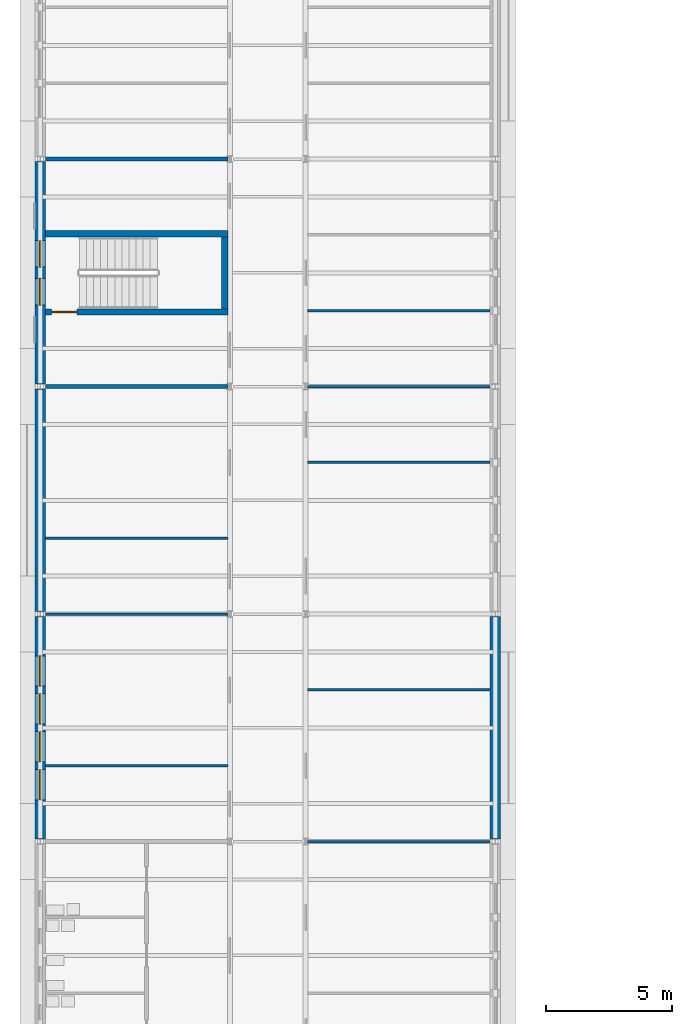
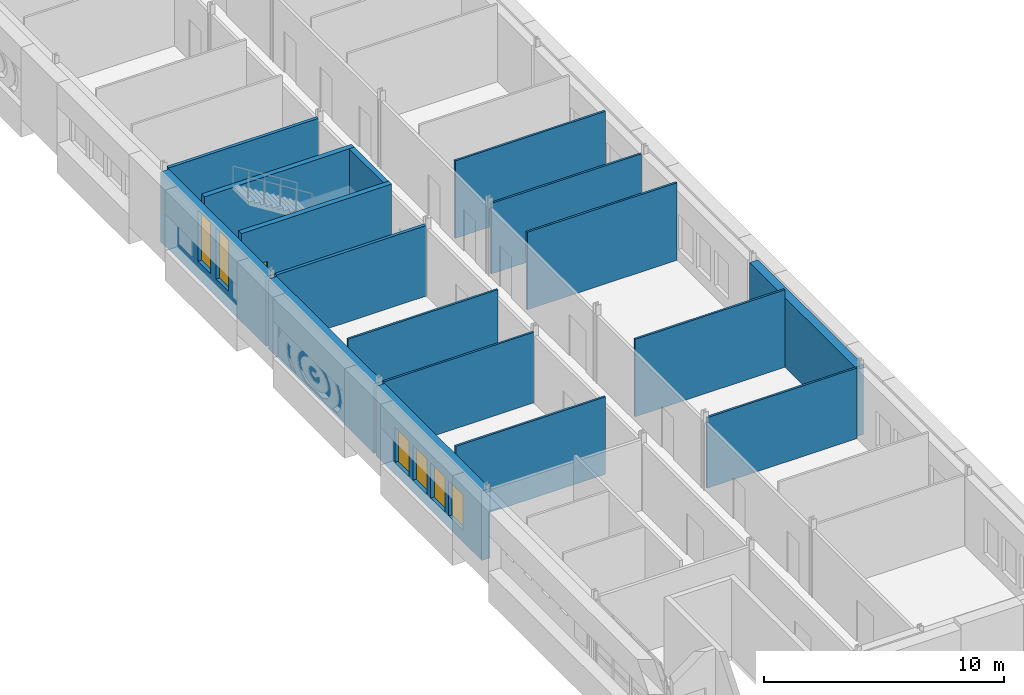
# One storey, part 25 of 42: 17 walls, 6 windows, 1 door, 7 openings.
"""IFC4 building model written with IfcOpenShell, lengths in metres."""

import ifcopenshell
import ifcopenshell.guid

model = None  # the IFC model being written
_history = None  # IfcOwnerHistory: only IFC2X3 demands one
_inside = {}  # id of a spatial element -> (the spatial element, [elements in it])
_under = {}  # id of a project, library or spatial element -> (it, [spatial elements below it])
_declared = {}  # id of a project -> (the project, [libraries it declares])
_typed = {}  # id of a type object -> (the type object, [elements of that type])
_made_of = {}  # id of a material, layer set ... -> (it, [elements and type objects made of it])


def new_model(schema):
    """Start an empty IFC model of exactly this schema.

    Asked for "IFC4X3", IfcOpenShell would pick the latest addendum, in which some entities
    have other attributes; the version numbers below select the first issue.
    IFC2X3 requires an IfcOwnerHistory on every rooted entity: one is made here for all.
    """
    global model, _history
    if schema == "IFC4X3":
        model = ifcopenshell.file(schema_version=(4, 3, 0, 0))
    else:
        model = ifcopenshell.file(schema=schema)
    _inside.clear()
    _under.clear()
    _declared.clear()
    _typed.clear()
    _made_of.clear()
    _history = None
    if model.schema == "IFC2X3":
        org = make("IfcOrganization", Name="unknown")
        user = make(
            "IfcPersonAndOrganization",
            ThePerson=make("IfcPerson", FamilyName="unknown"),
            TheOrganization=org,
        )
        app = make(
            "IfcApplication",
            ApplicationDeveloper=org,
            Version="unknown",
            ApplicationFullName="unknown",
            ApplicationIdentifier="unknown",
        )
        _history = make(
            "IfcOwnerHistory",
            OwningUser=user,
            OwningApplication=app,
            ChangeAction="ADDED",
            CreationDate=0,
        )
    return model


def make(cls, **values):
    """One entity of the class cls with the attributes given. An attribute that is None is left unset."""
    return model.create_entity(
        cls, **{name: value for name, value in values.items() if value is not None}
    )


def rooted(cls, **values):
    """An entity with a GlobalId (a new one), such as an element, a storey or a relation."""
    return make(cls, GlobalId=ifcopenshell.guid.new(), OwnerHistory=_history, **values)


def si_unit(unit_type, name, prefix=None):
    """IfcSIUnit, for example si_unit("LENGTHUNIT", "METRE", prefix="MILLI")."""
    return make("IfcSIUnit", UnitType=unit_type, Prefix=prefix, Name=name)


def assignment(units):
    """IfcUnitAssignment: the units of a project."""
    return None if units is None else make("IfcUnitAssignment", Units=units)


def point(xyz):
    """IfcCartesianPoint."""
    return None if xyz is None else make("IfcCartesianPoint", Coordinates=xyz)


def direction(xyz):
    """IfcDirection."""
    return None if xyz is None else make("IfcDirection", DirectionRatios=xyz)


def frame(location, z_axis=None, x_axis=None):
    """IfcAxis2Placement3D, a coordinate frame: its origin and axes. An axis left out is left unset."""
    return make(
        "IfcAxis2Placement3D",
        Location=point(location),
        Axis=direction(z_axis),
        RefDirection=direction(x_axis),
    )


def frame_2d(location, x_axis=None):
    """IfcAxis2Placement2D, a coordinate frame in the plane: its origin and x axis."""
    return make(
        "IfcAxis2Placement2D", Location=point(location), RefDirection=direction(x_axis)
    )


def origin():
    """The frame at (0, 0, 0) with its axes left unset."""
    return frame((0.0, 0.0, 0.0))


def place(relative_to, where):
    """IfcLocalPlacement: puts the frame where relative to a parent placement (None: the world)."""
    return make(
        "IfcLocalPlacement", PlacementRelTo=relative_to, RelativePlacement=where
    )


def context(
    kind, dimensions, precision=None, world=None, true_north=None, identifier=None
):
    """IfcGeometricRepresentationContext, for example the 3D "Model" context."""
    return make(
        "IfcGeometricRepresentationContext",
        ContextIdentifier=identifier,
        ContextType=kind,
        CoordinateSpaceDimension=dimensions,
        Precision=precision,
        WorldCoordinateSystem=world,
        TrueNorth=true_north,
    )


def subcontext(parent, identifier, kind, view, scale=None):
    """IfcGeometricRepresentationSubContext, for example "Body" below "Model"."""
    return make(
        "IfcGeometricRepresentationSubContext",
        ContextIdentifier=identifier,
        ContextType=kind,
        ParentContext=parent,
        TargetScale=scale,
        TargetView=view,
    )


def project(units=None, contexts=None):
    """IfcProject with its units and contexts."""
    return rooted(
        "IfcProject",
        Name="project",
        RepresentationContexts=contexts,
        UnitsInContext=assignment(units),
    )


def spatial(cls, under=None, at=None, **own):
    """A site, building, storey or space (cls), placed at a placement, below another one or the project."""
    s = rooted(cls, ObjectPlacement=at, **own)
    if under is not None:
        _under.setdefault(under.id(), (under, []))[1].append(s)
    return s


def profile(cls, at=None, kind="AREA", **sizes):
    """A parametric profile (cls). Its sizes go by their IFC names, for example OverallWidth=200.0."""
    return make(cls, ProfileType=kind, Position=at, **sizes)


def rectangle(**sizes):
    """IfcRectangleProfileDef."""
    return profile("IfcRectangleProfileDef", **sizes)


def extrude(swept, where, along, depth):
    """IfcExtrudedAreaSolid: the profile swept, set in the frame where, extruded along a direction by depth."""
    return make(
        "IfcExtrudedAreaSolid",
        SweptArea=swept,
        Position=where,
        ExtrudedDirection=direction(along),
        Depth=depth,
    )


def shape(context_of_items, identifier, shape_type, items):
    """IfcShapeRepresentation: the items that make up one representation, for example the "Body"."""
    return make(
        "IfcShapeRepresentation",
        ContextOfItems=context_of_items,
        RepresentationIdentifier=identifier,
        RepresentationType=shape_type,
        Items=items,
    )


def material(Name=None, Category=None):
    """IfcMaterial."""
    return make("IfcMaterial", Name=Name, Category=Category)


def layer(
    of_material, thickness, ventilated=None, Name=None, Category=None, Priority=None
):
    """IfcMaterialLayer: one layer of a wall or slab, of a material (None: an air gap)."""
    return make(
        "IfcMaterialLayer",
        Material=of_material,
        LayerThickness=thickness,
        IsVentilated=ventilated,
        Name=Name,
        Category=Category,
        Priority=Priority,
    )


def layer_set(layers, Name=None):
    """IfcMaterialLayerSet."""
    return make("IfcMaterialLayerSet", MaterialLayers=layers, LayerSetName=Name)


def made_of(thing, what):
    """Note that an element or type object is made of a material, layer set ...; save() writes the relation."""
    if what is not None:
        _made_of.setdefault(what.id(), (what, []))[1].append(thing)
    return thing


def type_object(cls, material=None, **own):
    """A type object (cls), such as IfcWallType, which elements share."""
    return made_of(rooted(cls, **own), material)


def element(
    cls,
    number,
    at=None,
    inside=None,
    cuts=None,
    type_object=None,
    material=None,
    context=None,
    identifier="Body",
    shape_type=None,
    held_by="IfcProductDefinitionShape",
    body=None,
    shapes=None,
    **own,
):
    """One element of the class cls, such as IfcWall. Its Tag is "e" and its number.

    at: its placement. inside: the storey or other place that contains it. cuts: it is an
    opening in that element (IfcRelVoidsElement). A single representation is given by context,
    identifier, shape_type and body (its items); several are given by shapes. held_by: the class
    of the entity that holds the representations. save() writes the other relations.
    """
    e = rooted(cls, Tag="e%d" % number, ObjectPlacement=at, **own)
    if body is not None:
        shapes = [shape(context, identifier, shape_type, body)]
    if shapes is not None:
        e.Representation = make(held_by, Representations=shapes)
    if inside is not None:
        _inside.setdefault(inside.id(), (inside, []))[1].append(e)
    if cuts is not None:
        rooted(
            "IfcRelVoidsElement", RelatingBuildingElement=cuts, RelatedOpeningElement=e
        )
    if type_object is not None:
        _typed.setdefault(type_object.id(), (type_object, []))[1].append(e)
    return made_of(e, material)


def fill(opening, filler):
    """IfcRelFillsElement: the door or window that sits in an opening."""
    return rooted(
        "IfcRelFillsElement",
        RelatingOpeningElement=opening,
        RelatedBuildingElement=filler,
    )


def aggregate(whole, parts):
    """IfcRelAggregates: a whole, such as a stair, and the parts it consists of."""
    return rooted("IfcRelAggregates", RelatingObject=whole, RelatedObjects=parts)


def save(model, path):
    """Write the relations noted so far, then the file.

    IfcRelAggregates (storeys below a building ...), IfcRelContainedInSpatialStructure (elements
    in a storey), IfcRelDefinesByType, IfcRelAssociatesMaterial and IfcRelDeclares: one each for
    every whole, place, type object, material and project.
    """
    for whole, parts in _under.values():
        aggregate(whole, parts)
    for where, things in _inside.values():
        rooted(
            "IfcRelContainedInSpatialStructure",
            RelatedElements=things,
            RelatingStructure=where,
        )
    for kind, things in _typed.values():
        rooted("IfcRelDefinesByType", RelatedObjects=things, RelatingType=kind)
    for what, things in _made_of.values():
        rooted("IfcRelAssociatesMaterial", RelatedObjects=things, RelatingMaterial=what)
    for by, libraries in _declared.values():
        rooted("IfcRelDeclares", RelatingContext=by, RelatedDefinitions=libraries)
    model.write(path)


model = new_model("IFC4")

# Units and contexts
model_context = context("Model", 3, precision=1e-05, world=origin(), true_north=direction((0.0, 1.0)))
body_context = subcontext(model_context, "Body", "Model", "MODEL_VIEW")
ifc_project = project(units=[si_unit("LENGTHUNIT", "METRE"), si_unit("AREAUNIT", "SQUARE_METRE"), si_unit("VOLUMEUNIT", "CUBIC_METRE"), si_unit("PLANEANGLEUNIT", "RADIAN"), si_unit("MASSUNIT", "GRAM", prefix="KILO")], contexts=[model_context])

# Site, building, storey
site_placement = place(None, origin())
site = spatial("IfcSite", under=ifc_project, at=site_placement, CompositionType="ELEMENT")
building_placement = place(site_placement, origin())
building = spatial("IfcBuilding", under=site, at=building_placement, Name="Golden Quay Civic Hall", CompositionType="ELEMENT")
storey_placement = place(building_placement, frame((0.0, 0.0, 22.800048828125)))
storey = spatial("IfcBuildingStorey", under=building, at=storey_placement, Name="L05", CompositionType="ELEMENT", Elevation=22.800048828125)

# Wall, opening, door
ifc_material_1 = material(Name="Concrete C40/50", Category="concrete")
ifc_layer_1 = layer(ifc_material_1, 0.25)
ifc_layer_set_1 = layer_set([ifc_layer_1], Name="Concrete core wall 250, Concrete C40/50")
wall_type_1 = type_object("IfcWallType", Name="Concrete core wall 250", PredefinedType="SHEAR", material=ifc_layer_set_1)
wall_1_placement = place(storey_placement, frame((0.199951171875, 29.949951171875, 0.0), z_axis=(0.0, 0.0, 1.0), x_axis=(1.0, 0.0, 0.0)))
wall_1 = element("IfcWall", 1, at=wall_1_placement, inside=storey, type_object=wall_type_1, Name="Core wall WO-M-W1", PredefinedType="SHEAR", context=body_context, shape_type="SweptSolid", body=[
    extrude(rectangle(XDim=7.22509765625, YDim=0.25, at=frame_2d((3.612548828125, 0.0))), origin(), (0.0, 0.0, 1.0), 3.949951171875),
])
opening_1_placement = place(wall_1_placement, frame((0.25, 0.0, 0.0)))
opening_1 = element("IfcOpeningElement", 2, at=opening_1_placement, cuts=wall_1, Name="Opening L05-D034", PredefinedType="OPENING", context=body_context, shape_type="SweptSolid", body=[
    extrude(rectangle(XDim=1.0, YDim=2.10009765625, at=frame_2d((0.5, 1.050048828125))), frame((0.0, 0.135009765625, 0.0), z_axis=(0.0, -1.0, 0.0), x_axis=(1.0, 0.0, 0.0)), (0.0, 0.0, 1.0), 0.27001953125),
])
ifc_material_2 = material(Name="Steel", Category="steel")
door_type = type_object("IfcDoorType", Name="Steel fire door FD60 1000 x 2100", OperationType="SINGLE_SWING_LEFT", PredefinedType="DOOR", material=ifc_material_2)
door_placement = place(opening_1_placement, origin())
door = element("IfcDoor", 3, at=door_placement, inside=storey, type_object=door_type, Name="Door L05-D034", OperationType="SINGLE_SWING_LEFT", OverallHeight=2.10009765625, OverallWidth=1.0, PredefinedType="DOOR", context=body_context, shape_type="SweptSolid", body=[
    extrude(rectangle(XDim=1.0, YDim=2.10009765625, at=frame_2d((0.5, 1.050048828125))), frame((0.0, 0.02490234375, 0.0), z_axis=(0.0, -1.0, 0.0), x_axis=(1.0, 0.0, 0.0)), (0.0, 0.0, 1.0), 0.050048828125),
])
fill(opening_1, door)

# Walls
wall_2_placement = place(storey_placement, frame((0.199951171875, 33.050048828125, 0.0), z_axis=(0.0, 0.0, 1.0), x_axis=(1.0, 0.0, 0.0)))
element("IfcWall", 4, at=wall_2_placement, inside=storey, type_object=wall_type_1, Name="Core wall WO-M-W2", PredefinedType="SHEAR", context=body_context, shape_type="SweptSolid", body=[
    extrude(rectangle(XDim=7.22509765625, YDim=0.25, at=frame_2d((3.612548828125, 0.0))), origin(), (0.0, 0.0, 1.0), 3.949951171875),
])
wall_3_placement = place(storey_placement, frame((7.300048828125, 30.074951171875, 0.0), z_axis=(0.0, 0.0, 1.0), x_axis=(0.0, 1.0, 0.0)))
element("IfcWall", 5, at=wall_3_placement, inside=storey, type_object=wall_type_1, Name="Core wall WO-M-W3", PredefinedType="SHEAR", context=body_context, shape_type="SweptSolid", body=[
    extrude(rectangle(XDim=2.85009765625, YDim=0.25, at=frame_2d((1.425048828125, 0.0))), origin(), (0.0, 0.0, 1.0), 3.949951171875),
])
ifc_material_3 = material(Name="Plasterboard on steel studs", Category="steel")
ifc_layer_2 = layer(ifc_material_3, 0.10009765625)
ifc_layer_set_2 = layer_set([ifc_layer_2], Name="Partition 100 stud")
wall_type_2 = type_object("IfcWallType", Name="Partition 100 stud", PredefinedType="PARTITIONING", material=ifc_layer_set_2)
wall_4_placement = place(storey_placement, frame((0.199951171875, 12.0, 0.0), z_axis=(0.0, 0.0, 1.0), x_axis=(1.0, 0.0, 0.0)))
element("IfcWall", 6, at=wall_4_placement, inside=storey, type_object=wall_type_2, Name="Partition L05-001", PredefinedType="PARTITIONING", context=body_context, shape_type="SweptSolid", body=[
    extrude(rectangle(XDim=7.22509765625, YDim=0.10009765625, at=frame_2d((3.612548828125, 0.0))), origin(), (0.0, 0.0, 1.0), 3.949951171875),
])
wall_5_placement = place(storey_placement, frame((0.199951171875, 18.0, 0.0), z_axis=(0.0, 0.0, 1.0), x_axis=(1.0, 0.0, 0.0)))
element("IfcWall", 7, at=wall_5_placement, inside=storey, type_object=wall_type_2, Name="Partition L05-002", PredefinedType="PARTITIONING", context=body_context, shape_type="SweptSolid", body=[
    extrude(rectangle(XDim=7.22509765625, YDim=0.10009765625, at=frame_2d((3.612548828125, 0.0))), origin(), (0.0, 0.0, 1.0), 3.599853515625),
])
wall_6_placement = place(storey_placement, frame((0.199951171875, 21.0, 0.0), z_axis=(0.0, 0.0, 1.0), x_axis=(1.0, 0.0, 0.0)))
element("IfcWall", 8, at=wall_6_placement, inside=storey, type_object=wall_type_2, Name="Partition L05-003", PredefinedType="PARTITIONING", context=body_context, shape_type="SweptSolid", body=[
    extrude(rectangle(XDim=7.22509765625, YDim=0.10009765625, at=frame_2d((3.612548828125, 0.0))), origin(), (0.0, 0.0, 1.0), 3.949951171875),
])
wall_7_placement = place(storey_placement, frame((10.574951171875, 9.0, 0.0), z_axis=(0.0, 0.0, 1.0), x_axis=(1.0, 0.0, 0.0)))
element("IfcWall", 9, at=wall_7_placement, inside=storey, type_object=wall_type_2, Name="Partition L05-013", PredefinedType="PARTITIONING", context=body_context, shape_type="SweptSolid", body=[
    extrude(rectangle(XDim=7.22509765625, YDim=0.10009765625, at=frame_2d((3.612548828125, 0.0))), origin(), (0.0, 0.0, 1.0), 3.599853515625),
])
for number, where, z_axis, x_axis, name in (
    (10, (10.574951171875, 15.0, 0.0), (0.0, 0.0, 1.0), (1.0, 0.0, 0.0), "Partition L05-014"),
    (11, (10.574951171875, 24.0, 0.0), (0.0, 0.0, 1.0), (1.0, 0.0, 0.0), "Partition L05-015"),
):
    element("IfcWall", number, at=place(storey_placement, frame(where, z_axis=z_axis, x_axis=x_axis)), inside=storey, type_object=wall_type_2, Name=name, PredefinedType="PARTITIONING", context=body_context, shape_type="SweptSolid", body=[
        extrude(rectangle(XDim=7.22509765625, YDim=0.10009765625, at=frame_2d((3.612548828125, 0.0))), origin(), (0.0, 0.0, 1.0), 3.949951171875),
    ])
wall_8_placement = place(storey_placement, frame((10.574951171875, 27.0, 0.0), z_axis=(0.0, 0.0, 1.0), x_axis=(1.0, 0.0, 0.0)))
element("IfcWall", 12, at=wall_8_placement, inside=storey, type_object=wall_type_2, Name="Partition L05-016", PredefinedType="PARTITIONING", context=body_context, shape_type="SweptSolid", body=[
    extrude(rectangle(XDim=7.22509765625, YDim=0.10009765625, at=frame_2d((3.612548828125, 0.0))), origin(), (0.0, 0.0, 1.0), 3.599853515625),
])
wall_9_placement = place(storey_placement, frame((10.574951171875, 30.0, 0.0), z_axis=(0.0, 0.0, 1.0), x_axis=(1.0, 0.0, 0.0)))
element("IfcWall", 13, at=wall_9_placement, inside=storey, type_object=wall_type_2, Name="Partition L05-017", PredefinedType="PARTITIONING", context=body_context, shape_type="SweptSolid", body=[
    extrude(rectangle(XDim=7.22509765625, YDim=0.10009765625, at=frame_2d((3.612548828125, 0.0))), origin(), (0.0, 0.0, 1.0), 3.949951171875),
])
ifc_material_4 = material(Name="Plasterboard on steel studs", Category="steel")
ifc_layer_3 = layer(ifc_material_4, 0.14990234375)
ifc_layer_set_3 = layer_set([ifc_layer_3], Name="Partition 150 stud fire EI 60")
wall_type_3 = type_object("IfcWallType", Name="Partition 150 stud fire EI 60", PredefinedType="PARTITIONING", material=ifc_layer_set_3)
for number, where, z_axis, x_axis, name in (
    (14, (0.199951171875, 27.0, 0.0), (0.0, 0.0, 1.0), (1.0, 0.0, 0.0), "Partition L05-004"),
    (15, (0.199951171875, 36.0, 0.0), (0.0, 0.0, 1.0), (1.0, 0.0, 0.0), "Partition L05-005"),
):
    element("IfcWall", number, at=place(storey_placement, frame(where, z_axis=z_axis, x_axis=x_axis)), inside=storey, type_object=wall_type_3, Name=name, PredefinedType="PARTITIONING", context=body_context, shape_type="SweptSolid", body=[
        extrude(rectangle(XDim=7.22509765625, YDim=0.14990234375, at=frame_2d((3.612548828125, 0.0))), origin(), (0.0, 0.0, 1.0), 3.599853515625),
    ])

# Wall, openings, windows
ifc_material_5 = material(Name="Clay block, rendered, cream")
ifc_layer_4 = layer(ifc_material_5, 0.39990234375)
ifc_layer_set_4 = layer_set([ifc_layer_4], Name="Rendered block external wall 400")
wall_type_4 = type_object("IfcWallType", Name="Rendered block external wall 400", PredefinedType="STANDARD", material=ifc_layer_set_4)
wall_10_placement = place(storey_placement, frame((0.0, 9.094970703125, 0.0), z_axis=(0.0, 0.0, 1.0), x_axis=(0.0, 1.0, 0.0)))
wall_10 = element("IfcWall", 16, at=wall_10_placement, inside=storey, type_object=wall_type_4, Name="Rendered block external wall 400 L05 2", PredefinedType="STANDARD", context=body_context, shape_type="SweptSolid", body=[
    extrude(rectangle(XDim=8.81005859375, YDim=0.39990234375, at=frame_2d((4.405029296875, 0.0))), origin(), (0.0, 0.0, 1.0), 3.550048828125),
])
opening_2_placement = place(wall_10_placement, frame((1.554931640625, 0.0, 0.60009765625)))
opening_2 = element("IfcOpeningElement", 17, at=opening_2_placement, cuts=wall_10, Name="Opening WN10", PredefinedType="OPENING", context=body_context, shape_type="SweptSolid", body=[
    extrude(rectangle(XDim=1.199951171875, YDim=1.800048828125, at=frame_2d((0.60009765625, 0.89990234375))), frame((0.0, 0.2099609375, 0.0), z_axis=(0.0, -1.0, 0.0), x_axis=(1.0, 0.0, 0.0)), (0.0, 0.0, 1.0), 0.419921875),
])
opening_3_placement = place(wall_10_placement, frame((3.054931640625, 0.0, 0.60009765625)))
opening_3 = element("IfcOpeningElement", 18, at=opening_3_placement, cuts=wall_10, Name="Opening WN10", PredefinedType="OPENING", context=body_context, shape_type="SweptSolid", body=[
    extrude(rectangle(XDim=1.199951171875, YDim=1.800048828125, at=frame_2d((0.60009765625, 0.89990234375))), frame((0.0, 0.2099609375, 0.0), z_axis=(0.0, -1.0, 0.0), x_axis=(1.0, 0.0, 0.0)), (0.0, 0.0, 1.0), 0.419921875),
])
opening_4_placement = place(wall_10_placement, frame((4.554931640625, 0.0, 0.60009765625)))
opening_4 = element("IfcOpeningElement", 19, at=opening_4_placement, cuts=wall_10, Name="Opening WN10", PredefinedType="OPENING", context=body_context, shape_type="SweptSolid", body=[
    extrude(rectangle(XDim=1.199951171875, YDim=1.800048828125, at=frame_2d((0.60009765625, 0.89990234375))), frame((0.0, 0.2099609375, 0.0), z_axis=(0.0, -1.0, 0.0), x_axis=(1.0, 0.0, 0.0)), (0.0, 0.0, 1.0), 0.419921875),
])
opening_5_placement = place(wall_10_placement, frame((6.054931640625, 0.0, 0.60009765625)))
opening_5 = element("IfcOpeningElement", 20, at=opening_5_placement, cuts=wall_10, Name="Opening WN10", PredefinedType="OPENING", context=body_context, shape_type="SweptSolid", body=[
    extrude(rectangle(XDim=1.199951171875, YDim=1.800048828125, at=frame_2d((0.60009765625, 0.89990234375))), frame((0.0, 0.2099609375, 0.0), z_axis=(0.0, -1.0, 0.0), x_axis=(1.0, 0.0, 0.0)), (0.0, 0.0, 1.0), 0.419921875),
])
ifc_material_6 = material(Name="Aluminium frame, double glazed", Category="aluminium")
window_type_1 = type_object("IfcWindowType", Name="Golden grid window 1200 x 1800", PartitioningType="SINGLE_PANEL", PredefinedType="WINDOW", material=ifc_material_6)
window_1_placement = place(opening_2_placement, origin())
window_1 = element("IfcWindow", 21, at=window_1_placement, inside=storey, type_object=window_type_1, Name="Golden grid window 1200 x 1800 L05 1", OverallHeight=1.800048828125, OverallWidth=1.199951171875, PartitioningType="SINGLE_PANEL", PredefinedType="WINDOW", context=body_context, shape_type="SweptSolid", body=[
    extrude(rectangle(XDim=1.199951171875, YDim=1.800048828125, at=frame_2d((0.60009765625, 0.89990234375))), frame((0.0, 0.030029296875, 0.0), z_axis=(0.0, -1.0, 0.0), x_axis=(1.0, 0.0, 0.0)), (0.0, 0.0, 1.0), 0.06005859375),
])
fill(opening_2, window_1)
window_2_placement = place(opening_3_placement, origin())
window_2 = element("IfcWindow", 22, at=window_2_placement, inside=storey, type_object=window_type_1, Name="Golden grid window 1200 x 1800 L05 2", OverallHeight=1.800048828125, OverallWidth=1.199951171875, PartitioningType="SINGLE_PANEL", PredefinedType="WINDOW", context=body_context, shape_type="SweptSolid", body=[
    extrude(rectangle(XDim=1.199951171875, YDim=1.800048828125, at=frame_2d((0.60009765625, 0.89990234375))), frame((0.0, 0.030029296875, 0.0), z_axis=(0.0, -1.0, 0.0), x_axis=(1.0, 0.0, 0.0)), (0.0, 0.0, 1.0), 0.06005859375),
])
fill(opening_3, window_2)
window_3_placement = place(opening_4_placement, origin())
window_3 = element("IfcWindow", 23, at=window_3_placement, inside=storey, type_object=window_type_1, Name="Golden grid window 1200 x 1800 L05 3", OverallHeight=1.800048828125, OverallWidth=1.199951171875, PartitioningType="SINGLE_PANEL", PredefinedType="WINDOW", context=body_context, shape_type="SweptSolid", body=[
    extrude(rectangle(XDim=1.199951171875, YDim=1.800048828125, at=frame_2d((0.60009765625, 0.89990234375))), frame((0.0, 0.030029296875, 0.0), z_axis=(0.0, -1.0, 0.0), x_axis=(1.0, 0.0, 0.0)), (0.0, 0.0, 1.0), 0.06005859375),
])
fill(opening_4, window_3)
window_4_placement = place(opening_5_placement, origin())
window_4 = element("IfcWindow", 24, at=window_4_placement, inside=storey, type_object=window_type_1, Name="Golden grid window 1200 x 1800 L05 4", OverallHeight=1.800048828125, OverallWidth=1.199951171875, PartitioningType="SINGLE_PANEL", PredefinedType="WINDOW", context=body_context, shape_type="SweptSolid", body=[
    extrude(rectangle(XDim=1.199951171875, YDim=1.800048828125, at=frame_2d((0.60009765625, 0.89990234375))), frame((0.0, 0.030029296875, 0.0), z_axis=(0.0, -1.0, 0.0), x_axis=(1.0, 0.0, 0.0)), (0.0, 0.0, 1.0), 0.06005859375),
])
fill(opening_5, window_4)

# Walls
for number, where, z_axis, x_axis, name in (
    (25, (0.0, 18.094970703125, 0.0), (0.0, 0.0, 1.0), (0.0, 1.0, 0.0), "Rendered block external wall 400 L05 3"),
    (26, (18.0, 17.905029296875, 0.0), (0.0, 0.0, 1.0), (0.0, -1.0, 0.0), "Rendered block external wall 400 L05 14"),
):
    element("IfcWall", number, at=place(storey_placement, frame(where, z_axis=z_axis, x_axis=x_axis)), inside=storey, type_object=wall_type_4, Name=name, PredefinedType="STANDARD", context=body_context, shape_type="SweptSolid", body=[
        extrude(rectangle(XDim=8.81005859375, YDim=0.39990234375, at=frame_2d((4.405029296875, 0.0))), origin(), (0.0, 0.0, 1.0), 3.550048828125),
    ])

# Wall, openings, windows
ifc_material_7 = material(Name="Clay block, rendered, cream")
ifc_layer_5 = layer(ifc_material_7, 0.39990234375)
ifc_layer_set_5 = layer_set([ifc_layer_5], Name="Rendered block external wall 400 fire EI 60")
wall_type_5 = type_object("IfcWallType", Name="Rendered block external wall 400 fire EI 60", PredefinedType="STANDARD", material=ifc_layer_set_5)
wall_11_placement = place(storey_placement, frame((0.0, 27.094970703125, 0.0), z_axis=(0.0, 0.0, 1.0), x_axis=(0.0, 1.0, 0.0)))
wall_11 = element("IfcWall", 27, at=wall_11_placement, inside=storey, type_object=wall_type_5, Name="Rendered block external wall 400 fire EI 60 L05 1", PredefinedType="STANDARD", context=body_context, shape_type="SweptSolid", body=[
    extrude(rectangle(XDim=8.81005859375, YDim=0.39990234375, at=frame_2d((4.405029296875, 0.0))), origin(), (0.0, 0.0, 1.0), 3.550048828125),
])
opening_6_placement = place(wall_11_placement, frame((3.1298828125, 0.0, 0.89990234375)))
opening_6 = element("IfcOpeningElement", 28, at=opening_6_placement, cuts=wall_11, Name="Opening WN9", PredefinedType="OPENING", context=body_context, shape_type="SweptSolid", body=[
    extrude(rectangle(XDim=1.050048828125, YDim=2.60009765625, at=frame_2d((0.52490234375, 1.300048828125))), frame((0.0, 0.2099609375, 0.0), z_axis=(0.0, -1.0, 0.0), x_axis=(1.0, 0.0, 0.0)), (0.0, 0.0, 1.0), 0.419921875),
])
opening_7_placement = place(wall_11_placement, frame((4.6298828125, 0.0, 0.89990234375)))
opening_7 = element("IfcOpeningElement", 29, at=opening_7_placement, cuts=wall_11, Name="Opening WN9", PredefinedType="OPENING", context=body_context, shape_type="SweptSolid", body=[
    extrude(rectangle(XDim=1.050048828125, YDim=2.60009765625, at=frame_2d((0.52490234375, 1.300048828125))), frame((0.0, 0.2099609375, 0.0), z_axis=(0.0, -1.0, 0.0), x_axis=(1.0, 0.0, 0.0)), (0.0, 0.0, 1.0), 0.419921875),
])
ifc_material_8 = material(Name="Aluminium frame, double glazed", Category="aluminium")
window_type_2 = type_object("IfcWindowType", Name="Stair light window 1050 x 2600", PartitioningType="SINGLE_PANEL", PredefinedType="WINDOW", material=ifc_material_8)
window_5_placement = place(opening_6_placement, origin())
window_5 = element("IfcWindow", 30, at=window_5_placement, inside=storey, type_object=window_type_2, Name="Stair light window 1050 x 2600 L05 1", OverallHeight=2.60009765625, OverallWidth=1.050048828125, PartitioningType="SINGLE_PANEL", PredefinedType="WINDOW", context=body_context, shape_type="SweptSolid", body=[
    extrude(rectangle(XDim=1.050048828125, YDim=2.60009765625, at=frame_2d((0.52490234375, 1.300048828125))), frame((0.0, 0.030029296875, 0.0), z_axis=(0.0, -1.0, 0.0), x_axis=(1.0, 0.0, 0.0)), (0.0, 0.0, 1.0), 0.06005859375),
])
fill(opening_6, window_5)
window_6_placement = place(opening_7_placement, origin())
window_6 = element("IfcWindow", 31, at=window_6_placement, inside=storey, type_object=window_type_2, Name="Stair light window 1050 x 2600 L05 2", OverallHeight=2.60009765625, OverallWidth=1.050048828125, PartitioningType="SINGLE_PANEL", PredefinedType="WINDOW", context=body_context, shape_type="SweptSolid", body=[
    extrude(rectangle(XDim=1.050048828125, YDim=2.60009765625, at=frame_2d((0.52490234375, 1.300048828125))), frame((0.0, 0.030029296875, 0.0), z_axis=(0.0, -1.0, 0.0), x_axis=(1.0, 0.0, 0.0)), (0.0, 0.0, 1.0), 0.06005859375),
])
fill(opening_7, window_6)

save(model, "model.ifc")
